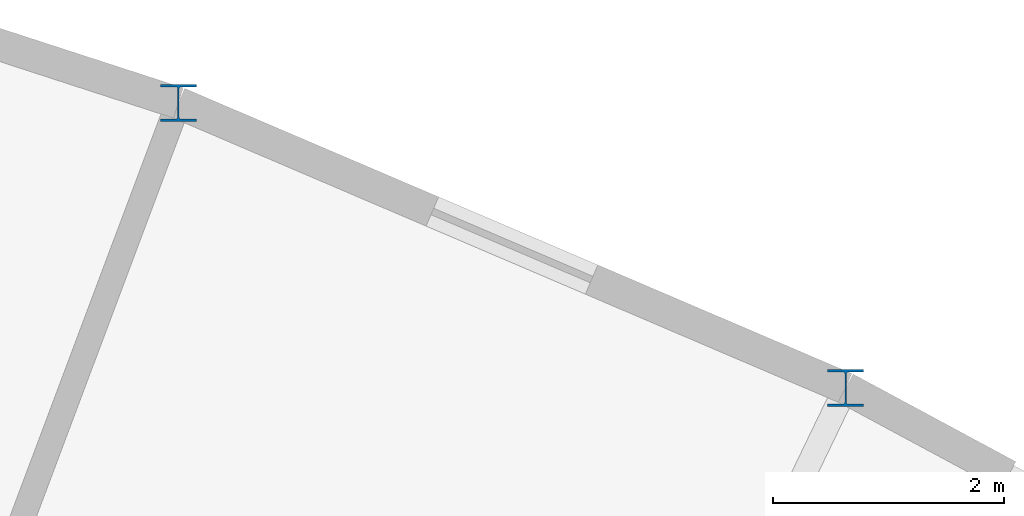
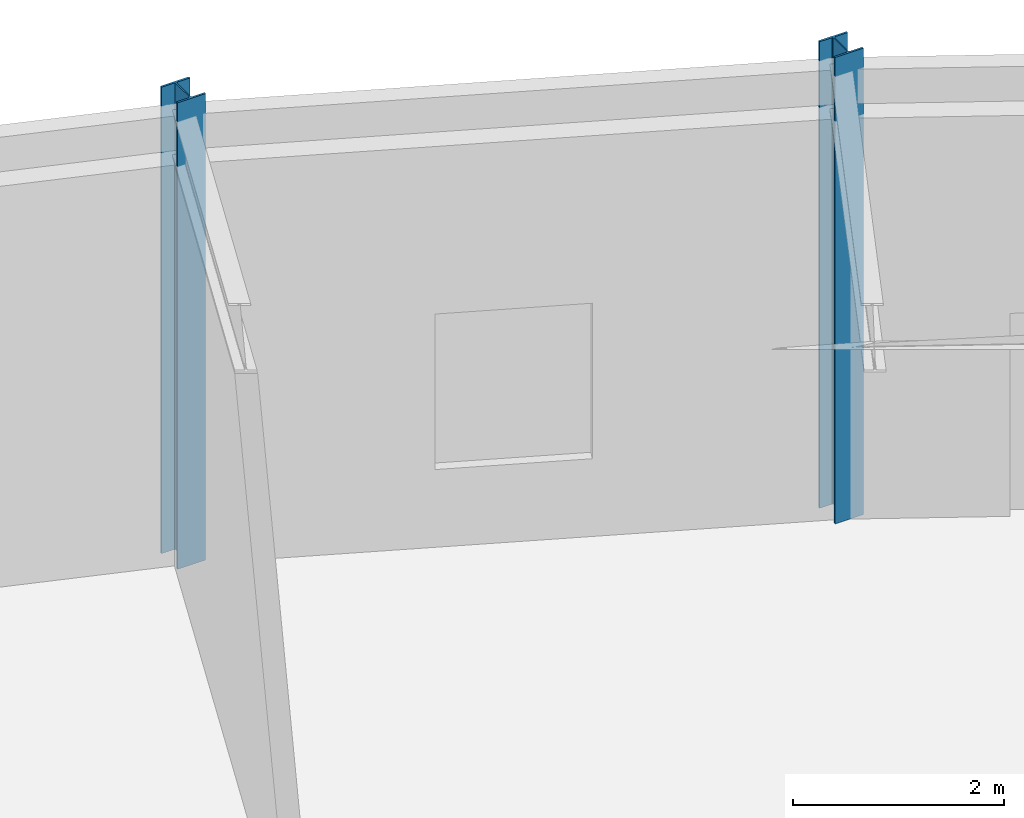
# One storey, part 16 of 87: 2 columns.
"""IFC4 building model written with IfcOpenShell, lengths in metres."""

from ifc_helpers import new_model, si_unit, direction, frame, origin, origin_2d, place, context, subcontext, project, spatial, i_section, extrude, material, material_profile, profile_set, type_object, element, save


model = new_model("IFC4")

# Units and contexts
model_context = context("Model", 3, precision=1e-05, world=origin(), true_north=direction((0.0, 1.0)))
body_context = subcontext(model_context, "Body", "Model", "MODEL_VIEW")
ifc_project = project(units=[si_unit("LENGTHUNIT", "METRE"), si_unit("AREAUNIT", "SQUARE_METRE"), si_unit("VOLUMEUNIT", "CUBIC_METRE"), si_unit("PLANEANGLEUNIT", "RADIAN"), si_unit("MASSUNIT", "GRAM", prefix="KILO")], contexts=[model_context])

# Site, building, storey
site_placement = place(None, origin())
site = spatial("IfcSite", under=ifc_project, at=site_placement, CompositionType="ELEMENT")
building_placement = place(site_placement, origin())
building = spatial("IfcBuilding", under=site, at=building_placement, Name="Selat Folded Stagehouse", CompositionType="ELEMENT")
storey_placement = place(building_placement, origin())
storey = spatial("IfcBuildingStorey", under=building, at=storey_placement, Name="L00", CompositionType="ELEMENT", Elevation=0.0)

# Columns
ifc_material = material(Name="Steel S355", Category="steel")
ifc_material_profile = material_profile(ifc_material, i_section(OverallWidth=0.30908203125, OverallDepth=0.320556640625, WebThickness=0.013916015625, FlangeThickness=0.021728515625, FilletRadius=0.01513671875, at=origin_2d()), Name="UKC 305x305x137")
ifc_profile_set = profile_set([ifc_material_profile], Name="Steel S355")
column_type = type_object("IfcColumnType", Name="COL-UKC-305x305x137", PredefinedType="COLUMN", material=ifc_profile_set)
for number, where, z_axis, x_axis, name in (
    (1, (116.99609375, 103.536376953125, 0.0), (0.0, 0.0, 1.0), (1.0, 0.0, 0.0), "L00 column STK-V6OUT-11"),
    (2, (122.77197265625, 101.06787109375, 0.0), (0.0, 0.0, 1.0), (1.0, 0.0, 0.0), "L00 column STK-V6OUT-12"),
):
    element("IfcColumn", number, at=place(storey_placement, frame(where, z_axis=z_axis, x_axis=x_axis)), inside=storey, type_object=column_type, Name=name, PredefinedType="COLUMN", context=body_context, shape_type="SweptSolid", body=[
        extrude(i_section(OverallWidth=0.30908203125, OverallDepth=0.320556640625, WebThickness=0.013916015625, FlangeThickness=0.021728515625, FilletRadius=0.01513671875, at=origin_2d()), origin(), (0.0, 0.0, 1.0), 5.39990234375),
    ])

save(model, "model.ifc")
